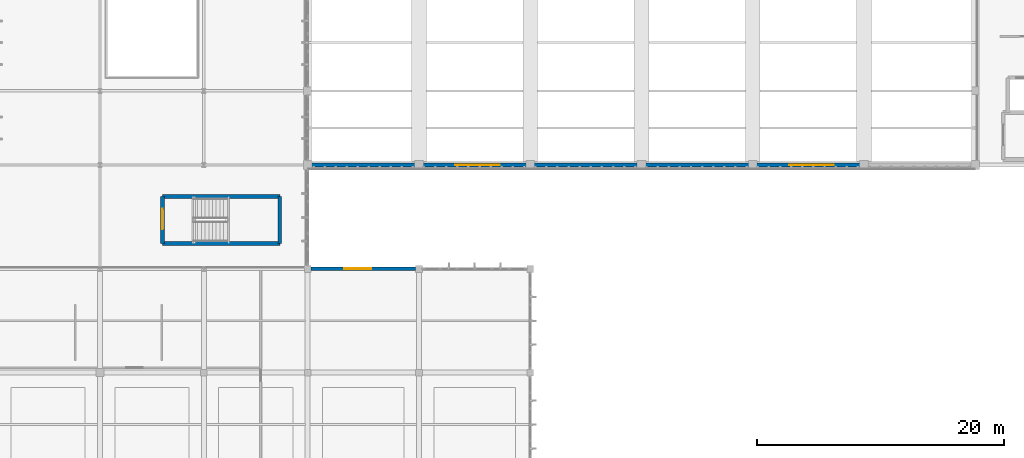
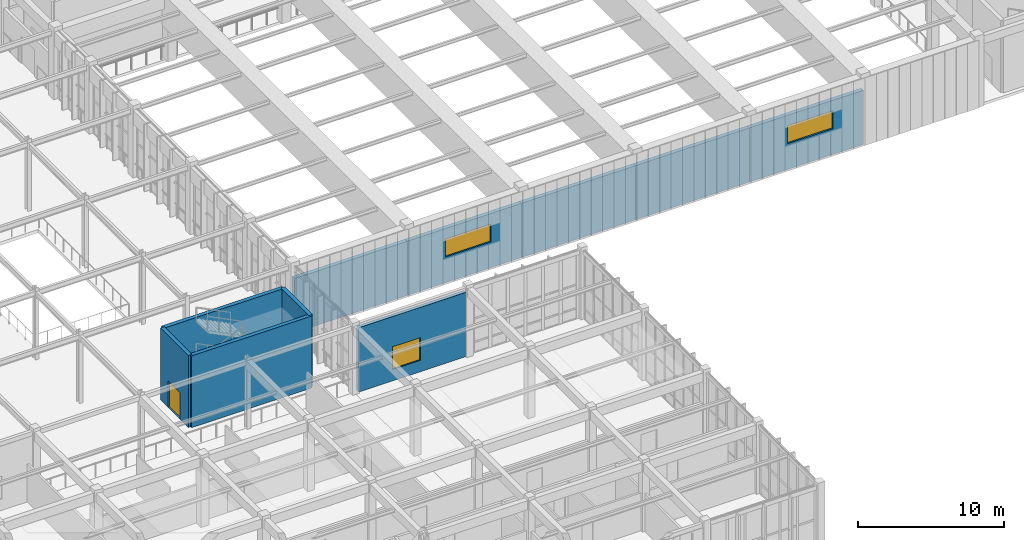
# One storey, part 74 of 105: 10 walls, 3 windows, 1 door, 4 openings.
"""IFC4 building model written with IfcOpenShell, lengths in metres."""

from ifc_helpers import new_model, si_unit, direction, frame, frame_2d, origin, place, context, subcontext, project, spatial, rectangle, extrude, material, layer, layer_set, type_object, element, fill, save


model = new_model("IFC4")

# Units and contexts
model_context = context("Model", 3, precision=1e-05, world=origin(), true_north=direction((0.0, 1.0)))
body_context = subcontext(model_context, "Body", "Model", "MODEL_VIEW")
ifc_project = project(units=[si_unit("LENGTHUNIT", "METRE"), si_unit("AREAUNIT", "SQUARE_METRE"), si_unit("VOLUMEUNIT", "CUBIC_METRE"), si_unit("PLANEANGLEUNIT", "RADIAN"), si_unit("MASSUNIT", "GRAM", prefix="KILO")], contexts=[model_context])

# Site, building, storey
site_placement = place(None, origin())
site = spatial("IfcSite", under=ifc_project, at=site_placement, CompositionType="ELEMENT")
building_placement = place(site_placement, origin())
building = spatial("IfcBuilding", under=site, at=building_placement, Name="Tizgana Railside Sports Hall", CompositionType="ELEMENT")
storey_placement = place(building_placement, frame((0.0, 0.0, 6.0)))
storey = spatial("IfcBuildingStorey", under=building, at=storey_placement, Name="L01", CompositionType="ELEMENT", Elevation=6.0)

# Walls
ifc_material_1 = material(Name="Concrete C40/50", Category="concrete")
ifc_layer_1 = layer(ifc_material_1, 0.300048828125, Name="Concrete C40/50")
ifc_layer_set_1 = layer_set([ifc_layer_1], Name="Concrete C40/50")
wall_type_1 = type_object("IfcWallType", Name="Core Shear Wall 300", PredefinedType="SHEAR", material=ifc_layer_set_1)
for number, where, z_axis, x_axis, name in (
    (1, (77.550048828125, 34.449951171875, 0.0), (0.0, 0.0, 1.0), (-1.0, 0.0, 0.0), "L01 C10 Shaft Wall S"),
    (2, (68.050048828125, 38.25, 0.0), (0.0, 0.0, 1.0), (1.0, 0.0, 0.0), "L01 C10 Shaft Wall N"),
):
    element("IfcWall", number, at=place(storey_placement, frame(where, z_axis=z_axis, x_axis=x_axis)), inside=storey, type_object=wall_type_1, Name=name, PredefinedType="SHEAR", context=body_context, shape_type="SweptSolid", body=[
        extrude(rectangle(XDim=9.5, YDim=0.300048828125, at=frame_2d((4.75, 0.0))), origin(), (0.0, 0.0, 1.0), 6.0),
    ])

# Wall, opening, door
wall_1_placement = place(storey_placement, frame((68.050048828125, 34.449951171875, 0.0), z_axis=(0.0, 0.0, 1.0), x_axis=(0.0, 1.0, 0.0)))
wall_1 = element("IfcWall", 3, at=wall_1_placement, inside=storey, type_object=wall_type_1, Name="L01 C10 Shaft Wall W", PredefinedType="SHEAR", context=body_context, shape_type="SweptSolid", body=[
    extrude(rectangle(XDim=3.800048828125, YDim=0.300048828125, at=frame_2d((1.89990234375, 0.0))), origin(), (0.0, 0.0, 1.0), 6.0),
])
opening_1_placement = place(wall_1_placement, frame((1.14990234375, 0.0, 0.0)))
opening_1 = element("IfcOpeningElement", 4, at=opening_1_placement, cuts=wall_1, Name="Opening D-0100", PredefinedType="OPENING", context=body_context, shape_type="SweptSolid", body=[
    extrude(rectangle(XDim=1.64990234375, YDim=2.199951171875, at=frame_2d((0.824951171875, 1.10009765625))), frame((0.0, 0.159912109375, 0.0), z_axis=(0.0, -1.0, 0.0), x_axis=(1.0, 0.0, 0.0)), (0.0, 0.0, 1.0), 0.320068359375),
])
ifc_material_2 = material(Name="Timber fire leaf", Category="wood")
door_type = type_object("IfcDoorType", Name="Stair Core Double Fire Door 1650x2200", OperationType="NOTDEFINED", PredefinedType="DOOR", material=ifc_material_2)
door_placement = place(opening_1_placement, origin())
door = element("IfcDoor", 5, at=door_placement, inside=storey, type_object=door_type, Name="L01 Door D-0100", OperationType="DOUBLE_DOOR_SINGLE_SWING", OverallHeight=2.199951171875, OverallWidth=1.64990234375, PredefinedType="DOOR", context=body_context, shape_type="SweptSolid", body=[
    extrude(rectangle(XDim=1.64990234375, YDim=2.199951171875, at=frame_2d((0.824951171875, 1.10009765625))), frame((0.0, 0.02490234375, 0.0), z_axis=(0.0, -1.0, 0.0), x_axis=(1.0, 0.0, 0.0)), (0.0, 0.0, 1.0), 0.050048828125),
])
fill(opening_1, door)

# Walls
wall_2_placement = place(storey_placement, frame((77.550048828125, 34.449951171875, 0.0), z_axis=(0.0, 0.0, 1.0), x_axis=(0.0, 1.0, 0.0)))
element("IfcWall", 6, at=wall_2_placement, inside=storey, type_object=wall_type_1, Name="L01 C10 Shaft Wall E", PredefinedType="SHEAR", context=body_context, shape_type="SweptSolid", body=[
    extrude(rectangle(XDim=3.800048828125, YDim=0.300048828125, at=frame_2d((1.89990234375, 0.0))), origin(), (0.0, 0.0, 1.0), 6.0),
])
ifc_material_3 = material(Name="Precast concrete C40/50", Category="concrete")
ifc_layer_2 = layer(ifc_material_3, 0.31005859375, Name="Precast concrete C40/50")
ifc_layer_set_2 = layer_set([ifc_layer_2], Name="Precast concrete C40/50")
wall_type_2 = type_object("IfcWallType", Name="Exterior Acoustic Hall Wall 310", PredefinedType="STANDARD", material=ifc_layer_set_2)
wall_3_placement = place(storey_placement, frame((88.75, 40.800048828125, -0.050048828125), z_axis=(0.0, 0.0, 1.0), x_axis=(-1.0, 0.0, 0.0)))
element("IfcWall", 7, at=wall_3_placement, inside=storey, type_object=wall_type_2, Name="L01 Exterior Wall EWAL-0027", PredefinedType="STANDARD", context=body_context, shape_type="SweptSolid", body=[
    extrude(rectangle(XDim=8.89990234375, YDim=0.31005859375, at=frame_2d((4.449951171875, 0.0))), origin(), (0.0, 0.0, 1.0), 4.52099609375),
])

# Wall, opening, window
wall_4_placement = place(storey_placement, frame((97.75, 40.800048828125, -0.050048828125), z_axis=(0.0, 0.0, 1.0), x_axis=(-1.0, 0.0, 0.0)))
wall_4 = element("IfcWall", 8, at=wall_4_placement, inside=storey, type_object=wall_type_2, Name="L01 Exterior Wall EWAL-0032", PredefinedType="STANDARD", context=body_context, shape_type="SweptSolid", body=[
    extrude(rectangle(XDim=8.9951171875, YDim=0.31005859375, at=frame_2d((4.49755859375, 0.0))), origin(), (0.0, 0.0, 1.0), 4.52099609375),
])
opening_2_placement = place(wall_4_placement, frame((2.39990234375, 0.0, 2.14990234375)))
opening_2 = element("IfcOpeningElement", 9, at=opening_2_placement, cuts=wall_4, Name="Opening W-0025", PredefinedType="OPENING", context=body_context, shape_type="SweptSolid", body=[
    extrude(rectangle(XDim=3.60009765625, YDim=1.5, at=frame_2d((1.800048828125, 0.75))), frame((0.0, 0.1650390625, 0.0), z_axis=(0.0, -1.0, 0.0), x_axis=(1.0, 0.0, 0.0)), (0.0, 0.0, 1.0), 0.330078125),
])
ifc_material_4 = material(Name="Double low-E laminated glass", Category="glass")
window_type_1 = type_object("IfcWindowType", Name="Gable Peak Clerestory Window 3600x1500", PartitioningType="SINGLE_PANEL", PredefinedType="WINDOW", material=ifc_material_4)
window_1_placement = place(opening_2_placement, origin())
window_1 = element("IfcWindow", 10, at=window_1_placement, inside=storey, type_object=window_type_1, Name="L01 Window W-0025", OverallHeight=1.5, OverallWidth=3.60009765625, PartitioningType="SINGLE_PANEL", PredefinedType="WINDOW", context=body_context, shape_type="SweptSolid", body=[
    extrude(rectangle(XDim=3.60009765625, YDim=1.5, at=frame_2d((1.800048828125, 0.75))), frame((0.0, 0.030029296875, 0.0), z_axis=(0.0, -1.0, 0.0), x_axis=(1.0, 0.0, 0.0)), (0.0, 0.0, 1.0), 0.06005859375),
])
fill(opening_2, window_1)

# Walls
for number, where, z_axis, x_axis, name in (
    (11, (106.75, 40.800048828125, -0.050048828125), (0.0, 0.0, 1.0), (-1.0, 0.0, 0.0), "L01 Exterior Wall EWAL-0036"),
    (12, (115.75, 40.800048828125, -0.050048828125), (0.0, 0.0, 1.0), (-1.0, 0.0, 0.0), "L01 Exterior Wall EWAL-0041"),
):
    element("IfcWall", number, at=place(storey_placement, frame(where, z_axis=z_axis, x_axis=x_axis)), inside=storey, type_object=wall_type_2, Name=name, PredefinedType="STANDARD", context=body_context, shape_type="SweptSolid", body=[
        extrude(rectangle(XDim=8.9951171875, YDim=0.31005859375, at=frame_2d((4.49755859375, 0.0))), origin(), (0.0, 0.0, 1.0), 4.52099609375),
    ])

# Wall, opening, window
wall_5_placement = place(storey_placement, frame((124.75, 40.800048828125, -0.050048828125), z_axis=(0.0, 0.0, 1.0), x_axis=(-1.0, 0.0, 0.0)))
wall_5 = element("IfcWall", 13, at=wall_5_placement, inside=storey, type_object=wall_type_2, Name="L01 Exterior Wall EWAL-0045", PredefinedType="STANDARD", context=body_context, shape_type="SweptSolid", body=[
    extrude(rectangle(XDim=8.9951171875, YDim=0.31005859375, at=frame_2d((4.49755859375, 0.0))), origin(), (0.0, 0.0, 1.0), 4.52099609375),
])
opening_3_placement = place(wall_5_placement, frame((2.39990234375, 0.0, 2.14990234375)))
opening_3 = element("IfcOpeningElement", 14, at=opening_3_placement, cuts=wall_5, Name="Opening W-0034", PredefinedType="OPENING", context=body_context, shape_type="SweptSolid", body=[
    extrude(rectangle(XDim=3.60009765625, YDim=1.5, at=frame_2d((1.800048828125, 0.75))), frame((0.0, 0.1650390625, 0.0), z_axis=(0.0, -1.0, 0.0), x_axis=(1.0, 0.0, 0.0)), (0.0, 0.0, 1.0), 0.330078125),
])
window_2_placement = place(opening_3_placement, origin())
window_2 = element("IfcWindow", 15, at=window_2_placement, inside=storey, type_object=window_type_1, Name="L01 Window W-0034", OverallHeight=1.5, OverallWidth=3.60009765625, PartitioningType="SINGLE_PANEL", PredefinedType="WINDOW", context=body_context, shape_type="SweptSolid", body=[
    extrude(rectangle(XDim=3.60009765625, YDim=1.5, at=frame_2d((1.800048828125, 0.75))), frame((0.0, 0.030029296875, 0.0), z_axis=(0.0, -1.0, 0.0), x_axis=(1.0, 0.0, 0.0)), (0.0, 0.0, 1.0), 0.06005859375),
])
fill(opening_3, window_2)

ifc_layer_3 = layer(ifc_material_3, 0.27001953125, Name="Precast concrete C40/50")
ifc_layer_set_3 = layer_set([ifc_layer_3], Name="Precast concrete C40/50")
wall_type_3 = type_object("IfcWallType", Name="Exterior Studio Facade Wall 270", PredefinedType="STANDARD", material=ifc_layer_set_3)
wall_6_placement = place(storey_placement, frame((80.06494140625, 32.39990234375, 0.0), z_axis=(0.0, 0.0, 1.0), x_axis=(1.0, 0.0, 0.0)))
wall_6 = element("IfcWall", 16, at=wall_6_placement, inside=storey, type_object=wall_type_3, Name="L01 Exterior Wall EWAL-0094", PredefinedType="STANDARD", context=body_context, shape_type="SweptSolid", body=[
    extrude(rectangle(XDim=8.469970703125, YDim=0.27001953125, at=frame_2d((4.23486328125, 0.0))), origin(), (0.0, 0.0, 1.0), 5.37109375),
])
opening_4_placement = place(wall_6_placement, frame((2.68505859375, 0.0, 0.949951171875)))
opening_4 = element("IfcOpeningElement", 17, at=opening_4_placement, cuts=wall_6, Name="Opening W-0068", PredefinedType="OPENING", context=body_context, shape_type="SweptSolid", body=[
    extrude(rectangle(XDim=2.199951171875, YDim=1.89990234375, at=frame_2d((1.10009765625, 0.949951171875))), frame((0.0, 0.14501953125, 0.0), z_axis=(0.0, -1.0, 0.0), x_axis=(1.0, 0.0, 0.0)), (0.0, 0.0, 1.0), 0.2900390625),
])
window_type_2 = type_object("IfcWindowType", Name="Clinic Double Window 2200x1900", PartitioningType="SINGLE_PANEL", PredefinedType="WINDOW", material=ifc_material_4)
window_3_placement = place(opening_4_placement, origin())
window_3 = element("IfcWindow", 18, at=window_3_placement, inside=storey, type_object=window_type_2, Name="L01 Window W-0068", OverallHeight=1.89990234375, OverallWidth=2.199951171875, PartitioningType="SINGLE_PANEL", PredefinedType="WINDOW", context=body_context, shape_type="SweptSolid", body=[
    extrude(rectangle(XDim=2.199951171875, YDim=1.89990234375, at=frame_2d((1.10009765625, 0.949951171875))), frame((0.0, 0.030029296875, 0.0), z_axis=(0.0, -1.0, 0.0), x_axis=(1.0, 0.0, 0.0)), (0.0, 0.0, 1.0), 0.06005859375),
])
fill(opening_4, window_3)

save(model, "model.ifc")
